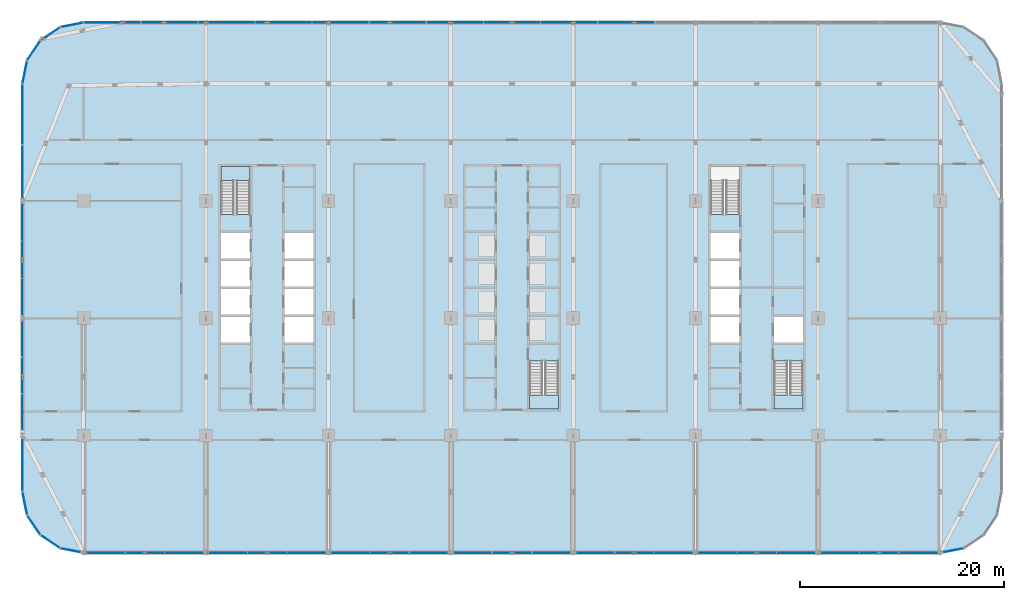
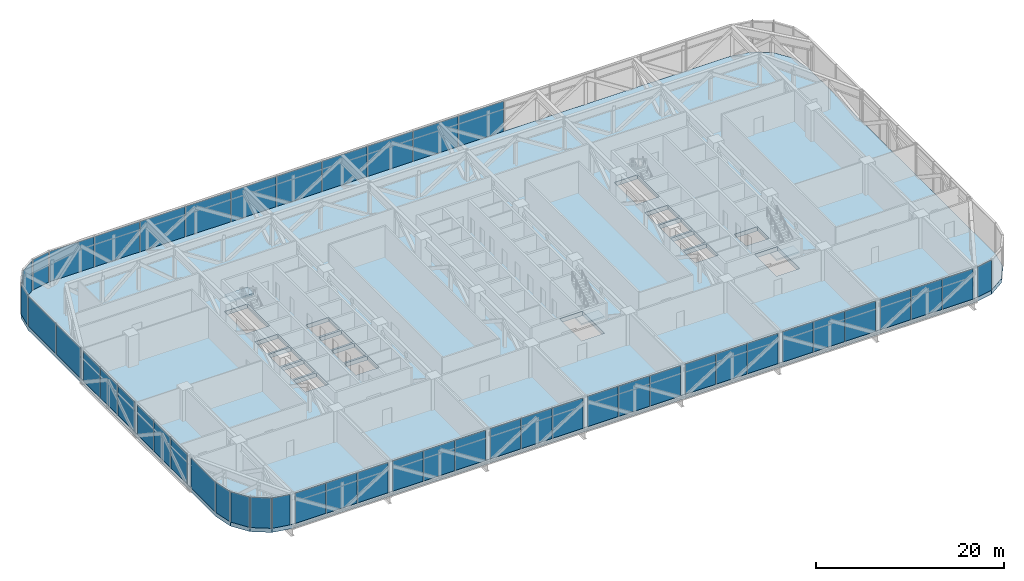
# One storey, part 14 of 30: 49 plates, 4 slabs, 25 elements without a shape of their own.
"""IFC4 building model written with IfcOpenShell, lengths in metres."""

from ifc_helpers import new_model, si_unit, direction, frame, origin, origin_2d, place, context, subcontext, project, spatial, polyline, rectangle, outline, extrude, material, layer, layer_set, type_object, element, aggregate, save


model = new_model("IFC4")

# Units and contexts
model_context = context("Model", 3, precision=1e-05, world=origin(), true_north=direction((0.0, 1.0)))
body_context = subcontext(model_context, "Body", "Model", "MODEL_VIEW")
ifc_project = project(units=[si_unit("LENGTHUNIT", "METRE"), si_unit("AREAUNIT", "SQUARE_METRE"), si_unit("VOLUMEUNIT", "CUBIC_METRE"), si_unit("PLANEANGLEUNIT", "RADIAN"), si_unit("MASSUNIT", "GRAM", prefix="KILO")], contexts=[model_context])

# Site, building, storey
site_placement = place(None, origin())
site = spatial("IfcSite", under=ifc_project, at=site_placement, CompositionType="ELEMENT")
building_placement = place(site_placement, origin())
building = spatial("IfcBuilding", under=site, at=building_placement, Name="Mahtab Terrace Research Tower", CompositionType="ELEMENT")
storey_placement = place(building_placement, frame((0.0, 0.0, 154.800048828125)))
storey = spatial("IfcBuildingStorey", under=building, at=storey_placement, Name="L36", CompositionType="ELEMENT", Elevation=154.800048828125)

# Stair, slab
ifc_material_1 = material(Name="Exit stair half-turn")
stair_type = type_object("IfcStairType", Name="Exit stair half-turn", PredefinedType="HALF_TURN_STAIR", material=ifc_material_1)
stair_1_placement = place(storey_placement, origin())
stair_1 = element("IfcStair", 1, at=stair_1_placement, inside=storey, type_object=stair_type, Name="L36 Protected exit stair ST1", PredefinedType="HALF_TURN_STAIR")
ifc_material_2 = material(Name="Concrete C40/50", Category="concrete")
ifc_layer_1 = layer(ifc_material_2, 0.199951171875)
ifc_layer_set_1 = layer_set([ifc_layer_1], Name="Exit stair landing 200")
slab_type_1 = type_object("IfcSlabType", Name="Exit stair landing 200", PredefinedType="LANDING", material=ifc_layer_set_1)
slab_1_placement = place(storey_placement, frame((0.0, 0.0, 2.0)))
slab_1 = element("IfcSlab", 2, at=slab_1_placement, type_object=slab_type_1, Name="ST1 landing 1", PredefinedType="LANDING", context=body_context, shape_type="SweptSolid", body=[
    extrude(outline(polyline([(-25.699951171875, 13.534912109375), (-25.699951171875, 14.875), (-28.550048828125, 14.875), (-28.550048828125, 13.534912109375), (-25.699951171875, 13.534912109375)])), origin(), (0.0, 0.0, 1.0), 0.199951171875),
])
aggregate(stair_1, [slab_1])

stair_2_placement = place(storey_placement, origin())
stair_2 = element("IfcStair", 3, at=stair_2_placement, inside=storey, type_object=stair_type, Name="L36 Protected exit stair ST2", PredefinedType="HALF_TURN_STAIR")
slab_2_placement = place(storey_placement, frame((0.0, 0.0, 2.0)))
slab_2 = element("IfcSlab", 4, at=slab_2_placement, type_object=slab_type_1, Name="ST2 landing 1", PredefinedType="LANDING", context=body_context, shape_type="SweptSolid", body=[
    extrude(outline(polyline([(1.699951171875, -7.534912109375), (1.699951171875, -8.875), (4.550048828125, -8.875), (4.550048828125, -7.534912109375), (1.699951171875, -7.534912109375)])), origin(), (0.0, 0.0, 1.0), 0.199951171875),
])
aggregate(stair_2, [slab_2])

stair_3_placement = place(storey_placement, origin())
stair_3 = element("IfcStair", 5, at=stair_3_placement, inside=storey, type_object=stair_type, Name="L36 Protected exit stair ST4", PredefinedType="HALF_TURN_STAIR")
slab_3_placement = place(storey_placement, frame((0.0, 0.0, 2.0)))
slab_3 = element("IfcSlab", 6, at=slab_3_placement, type_object=slab_type_1, Name="ST4 landing 1", PredefinedType="LANDING", context=body_context, shape_type="SweptSolid", body=[
    extrude(outline(polyline([(25.699951171875, -7.534912109375), (25.699951171875, -8.875), (28.550048828125, -8.875), (28.550048828125, -7.534912109375), (25.699951171875, -7.534912109375)])), origin(), (0.0, 0.0, 1.0), 0.199951171875),
])
aggregate(stair_3, [slab_3])

# Slab
ifc_layer_2 = layer(ifc_material_2, 0.550048828125)
ifc_layer_set_2 = layer_set([ifc_layer_2], Name="PT transfer slab 550")
slab_type_2 = type_object("IfcSlabType", Name="PT transfer slab 550", PredefinedType="FLOOR", material=ifc_layer_set_2)
slab_4_placement = place(storey_placement, frame((0.0, 0.0, -0.550048828125)))
element("IfcSlab", 7, at=slab_4_placement, inside=storey, type_object=slab_type_2, Name="Floor slab L36", PredefinedType="FLOOR", context=body_context, shape_type="SweptSolid", body=[
    extrude(outline(polyline([(48.0, 17.0), (48.0, 23.0), (47.54296875, 25.2958984375), (46.242919921875, 27.242919921875), (44.2958984375, 28.54296875), (42.0, 29.0), (-42.0, 29.0), (-44.2958984375, 28.54296875), (-46.242919921875, 27.242919921875), (-47.54296875, 25.2958984375), (-48.0, 23.0), (-48.0, 17.0), (-48.0, -11.0), (-48.0, -17.0), (-47.54296875, -19.2958984375), (-46.242919921875, -21.242919921875), (-44.2958984375, -22.54296875), (-42.0, -23.0), (42.0, -23.0), (44.2958984375, -22.54296875), (46.242919921875, -21.242919921875), (47.54296875, -19.2958984375), (48.0, -17.0), (48.0, -11.0), (48.0, 17.0)]), holes=[polyline([(-28.550048828125, -2.375), (-28.550048828125, 0.125), (-25.699951171875, 0.125), (-25.699951171875, -2.375), (-28.550048828125, -2.375)]), polyline([(-22.300048828125, -2.375), (-22.300048828125, 0.125), (-19.449951171875, 0.125), (-19.449951171875, -2.375), (-22.300048828125, -2.375)]), polyline([(-28.550048828125, 0.375), (-28.550048828125, 2.875), (-25.699951171875, 2.875), (-25.699951171875, 0.375), (-28.550048828125, 0.375)]), polyline([(-22.300048828125, 0.375), (-22.300048828125, 2.875), (-19.449951171875, 2.875), (-19.449951171875, 0.375), (-22.300048828125, 0.375)]), polyline([(-28.550048828125, 3.125), (-28.550048828125, 5.625), (-25.699951171875, 5.625), (-25.699951171875, 3.125), (-28.550048828125, 3.125)]), polyline([(-22.300048828125, 3.125), (-22.300048828125, 5.625), (-19.449951171875, 5.625), (-19.449951171875, 3.125), (-22.300048828125, 3.125)]), polyline([(-28.550048828125, 5.875), (-28.550048828125, 8.375), (-25.699951171875, 8.375), (-25.699951171875, 5.875), (-28.550048828125, 5.875)]), polyline([(-22.300048828125, 5.875), (-22.300048828125, 8.375), (-19.449951171875, 8.375), (-19.449951171875, 5.875), (-22.300048828125, 5.875)]), polyline([(-28.550048828125, 10.177001953125), (-28.550048828125, 14.875), (-25.699951171875, 14.875), (-25.699951171875, 10.177001953125), (-28.550048828125, 10.177001953125)]), polyline([(1.699951171875, -8.875), (1.699951171875, -4.177001953125), (4.550048828125, -4.177001953125), (4.550048828125, -8.875), (1.699951171875, -8.875)]), polyline([(25.699951171875, -8.875), (25.699951171875, -4.177001953125), (28.550048828125, -4.177001953125), (28.550048828125, -8.875), (25.699951171875, -8.875)]), polyline([(19.449951171875, -2.375), (19.449951171875, 0.125), (22.300048828125, 0.125), (22.300048828125, -2.375), (19.449951171875, -2.375)]), polyline([(25.699951171875, -2.375), (25.699951171875, 0.125), (28.550048828125, 0.125), (28.550048828125, -2.375), (25.699951171875, -2.375)]), polyline([(19.449951171875, 0.375), (19.449951171875, 2.875), (22.300048828125, 2.875), (22.300048828125, 0.375), (19.449951171875, 0.375)]), polyline([(19.449951171875, 3.125), (19.449951171875, 5.625), (22.300048828125, 5.625), (22.300048828125, 3.125), (19.449951171875, 3.125)]), polyline([(19.449951171875, 8.375), (22.300048828125, 8.375), (22.300048828125, 5.875), (19.449951171875, 5.875), (19.449951171875, 8.375)]), polyline([(19.449951171875, 14.875), (22.300048828125, 14.875), (22.300048828125, 10.177001953125), (19.449951171875, 10.177001953125), (19.449951171875, 14.875)])]), origin(), (0.0, 0.0, 1.0), 0.550048828125),
])

# Curtain wall, plate
ifc_material_3 = material(Name="Sky lounge full-height curtain wall")
curtain_wall_type = type_object("IfcCurtainWallType", Name="Sky lounge full-height curtain wall", PredefinedType="NOTDEFINED", material=ifc_material_3)
curtain_wall_1_placement = place(storey_placement, origin())
curtain_wall_1 = element("IfcCurtainWall", 8, at=curtain_wall_1_placement, inside=storey, type_object=curtain_wall_type, Name="EN.L36.8.0", PredefinedType="NOTDEFINED")
ifc_material_4 = material(Name="Dark glazing", Category="glass")
ifc_layer_3 = layer(ifc_material_4, 0.0400390625)
ifc_layer_set_3 = layer_set([ifc_layer_3], Name="Sky lounge full-height curtain wall glazing panel")
plate_type_1 = type_object("IfcPlateType", Name="Sky lounge full-height curtain wall glazing panel", PredefinedType="CURTAIN_PANEL", material=ifc_layer_set_3)
plate_1_placement = place(storey_placement, frame((-46.89306640625, 26.26953125, 0.0), z_axis=(0.0, 0.0, 1.0), x_axis=(-0.555291490808, -0.831655794326, 0.0)))
plate_1 = element("IfcPlate", 9, at=plate_1_placement, type_object=plate_type_1, Name="CWS-T4 panel 1", PredefinedType="CURTAIN_PANEL", context=body_context, shape_type="SweptSolid", body=[
    extrude(rectangle(XDim=2.201171875, YDim=0.0400390625, at=origin_2d()), origin(), (0.0, 0.0, 1.0), 3.93994140625),
])
aggregate(curtain_wall_1, [plate_1])

curtain_wall_2_placement = place(storey_placement, origin())
curtain_wall_2 = element("IfcCurtainWall", 10, at=curtain_wall_2_placement, inside=storey, type_object=curtain_wall_type, Name="EN.L36.9.0", PredefinedType="NOTDEFINED")
plate_2_placement = place(storey_placement, frame((-47.771484375, 24.14794921875, 0.0), z_axis=(0.0, 0.0, 1.0), x_axis=(-0.195212442692, -0.980760981187, 0.0)))
plate_2 = element("IfcPlate", 11, at=plate_2_placement, type_object=plate_type_1, Name="CWS-T4 panel 1", PredefinedType="CURTAIN_PANEL", context=body_context, shape_type="SweptSolid", body=[
    extrude(rectangle(XDim=2.200927734375, YDim=0.0400390625, at=origin_2d()), origin(), (0.0, 0.0, 1.0), 3.93994140625),
])
aggregate(curtain_wall_2, [plate_2])

curtain_wall_3_placement = place(storey_placement, origin())
curtain_wall_3 = element("IfcCurtainWall", 12, at=curtain_wall_3_placement, inside=storey, type_object=curtain_wall_type, Name="EN.L36.13.0", PredefinedType="NOTDEFINED")
plate_3_placement = place(storey_placement, frame((-47.771484375, -18.14794921875, 0.0), z_axis=(0.0, 0.0, 1.0), x_axis=(0.195212442692, -0.980760981187, 0.0)))
plate_3 = element("IfcPlate", 13, at=plate_3_placement, type_object=plate_type_1, Name="CWS-T4 panel 1", PredefinedType="CURTAIN_PANEL", context=body_context, shape_type="SweptSolid", body=[
    extrude(rectangle(XDim=2.200927734375, YDim=0.0400390625, at=origin_2d()), origin(), (0.0, 0.0, 1.0), 3.93994140625),
])
aggregate(curtain_wall_3, [plate_3])

curtain_wall_4_placement = place(storey_placement, origin())
curtain_wall_4 = element("IfcCurtainWall", 14, at=curtain_wall_4_placement, inside=storey, type_object=curtain_wall_type, Name="EN.L36.14.0", PredefinedType="NOTDEFINED")
plate_4_placement = place(storey_placement, frame((-46.89306640625, -20.26953125, 0.0), z_axis=(0.0, 0.0, 1.0), x_axis=(0.555291490808, -0.831655794326, 0.0)))
plate_4 = element("IfcPlate", 15, at=plate_4_placement, type_object=plate_type_1, Name="CWS-T4 panel 1", PredefinedType="CURTAIN_PANEL", context=body_context, shape_type="SweptSolid", body=[
    extrude(rectangle(XDim=2.201171875, YDim=0.0400390625, at=origin_2d()), origin(), (0.0, 0.0, 1.0), 3.93994140625),
])
aggregate(curtain_wall_4, [plate_4])

# Curtain wall, plates
curtain_wall_5_placement = place(storey_placement, origin())
curtain_wall_5 = element("IfcCurtainWall", 16, at=curtain_wall_5_placement, inside=storey, type_object=curtain_wall_type, Name="EN.L36.5.0", PredefinedType="NOTDEFINED")
ifc_material_5 = material(Name="Insulated aluminium spandrel panel", Category="aluminium")
ifc_layer_4 = layer(ifc_material_5, 0.0400390625)
ifc_layer_set_4 = layer_set([ifc_layer_4], Name="Sky lounge full-height curtain wall spandrel infill panel")
plate_type_2 = type_object("IfcPlateType", Name="Sky lounge full-height curtain wall spandrel infill panel", PredefinedType="CURTAIN_PANEL", material=ifc_layer_set_4)
plate_5_placement = place(storey_placement, frame((11.199951171875, 29.0, 0.0), z_axis=(0.0, 0.0, 1.0), x_axis=(-1.0, 0.0, 0.0)))
plate_5 = element("IfcPlate", 17, at=plate_5_placement, type_object=plate_type_2, Name="CWS-T4 infill panel 6", PredefinedType="CURTAIN_PANEL", context=body_context, shape_type="SweptSolid", body=[
    extrude(rectangle(XDim=5.530029296875, YDim=0.0400390625, at=origin_2d()), origin(), (0.0, 0.0, 1.0), 3.93994140625),
])
plate_6_placement = place(storey_placement, frame((5.60009765625, 29.0, 0.0), z_axis=(0.0, 0.0, 1.0), x_axis=(-1.0, 0.0, 0.0)))
plate_6 = element("IfcPlate", 18, at=plate_6_placement, type_object=plate_type_2, Name="CWS-T4 infill panel 7", PredefinedType="CURTAIN_PANEL", context=body_context, shape_type="SweptSolid", body=[
    extrude(rectangle(XDim=5.530029296875, YDim=0.0400390625, at=origin_2d()), origin(), (0.0, 0.0, 1.0), 3.93994140625),
])
plate_7_placement = place(storey_placement, frame((0.0, 29.0, 0.0), z_axis=(0.0, 0.0, 1.0), x_axis=(-1.0, 0.0, 0.0)))
plate_7 = element("IfcPlate", 19, at=plate_7_placement, type_object=plate_type_2, Name="CWS-T4 infill panel 8", PredefinedType="CURTAIN_PANEL", context=body_context, shape_type="SweptSolid", body=[
    extrude(rectangle(XDim=5.530029296875, YDim=0.0400390625, at=origin_2d()), origin(), (0.0, 0.0, 1.0), 3.93994140625),
])
plate_8_placement = place(storey_placement, frame((-5.60009765625, 29.0, 0.0), z_axis=(0.0, 0.0, 1.0), x_axis=(-1.0, 0.0, 0.0)))
plate_8 = element("IfcPlate", 20, at=plate_8_placement, type_object=plate_type_2, Name="CWS-T4 infill panel 9", PredefinedType="CURTAIN_PANEL", context=body_context, shape_type="SweptSolid", body=[
    extrude(rectangle(XDim=5.530029296875, YDim=0.0400390625, at=origin_2d()), origin(), (0.0, 0.0, 1.0), 3.93994140625),
])
plate_9_placement = place(storey_placement, frame((-11.199951171875, 29.0, 0.0), z_axis=(0.0, 0.0, 1.0), x_axis=(-1.0, 0.0, 0.0)))
plate_9 = element("IfcPlate", 21, at=plate_9_placement, type_object=plate_type_2, Name="CWS-T4 infill panel 10", PredefinedType="CURTAIN_PANEL", context=body_context, shape_type="SweptSolid", body=[
    extrude(rectangle(XDim=5.530029296875, YDim=0.0400390625, at=origin_2d()), origin(), (0.0, 0.0, 1.0), 3.93994140625),
])
plate_10_placement = place(storey_placement, frame((-16.800048828125, 29.0, 0.0), z_axis=(0.0, 0.0, 1.0), x_axis=(-1.0, 0.0, 0.0)))
plate_10 = element("IfcPlate", 22, at=plate_10_placement, type_object=plate_type_2, Name="CWS-T4 infill panel 11", PredefinedType="CURTAIN_PANEL", context=body_context, shape_type="SweptSolid", body=[
    extrude(rectangle(XDim=5.530029296875, YDim=0.0400390625, at=origin_2d()), origin(), (0.0, 0.0, 1.0), 3.93994140625),
])
plate_11_placement = place(storey_placement, frame((-22.39990234375, 29.0, 0.0), z_axis=(0.0, 0.0, 1.0), x_axis=(-1.0, 0.0, 0.0)))
plate_11 = element("IfcPlate", 23, at=plate_11_placement, type_object=plate_type_2, Name="CWS-T4 infill panel 12", PredefinedType="CURTAIN_PANEL", context=body_context, shape_type="SweptSolid", body=[
    extrude(rectangle(XDim=5.530029296875, YDim=0.0400390625, at=origin_2d()), origin(), (0.0, 0.0, 1.0), 3.93994140625),
])
plate_12_placement = place(storey_placement, frame((-28.0, 29.0, 0.0), z_axis=(0.0, 0.0, 1.0), x_axis=(-1.0, 0.0, 0.0)))
plate_12 = element("IfcPlate", 24, at=plate_12_placement, type_object=plate_type_2, Name="CWS-T4 infill panel 13", PredefinedType="CURTAIN_PANEL", context=body_context, shape_type="SweptSolid", body=[
    extrude(rectangle(XDim=5.530029296875, YDim=0.0400390625, at=origin_2d()), origin(), (0.0, 0.0, 1.0), 3.93994140625),
])
plate_13_placement = place(storey_placement, frame((-33.60009765625, 29.0, 0.0), z_axis=(0.0, 0.0, 1.0), x_axis=(-1.0, 0.0, 0.0)))
plate_13 = element("IfcPlate", 25, at=plate_13_placement, type_object=plate_type_2, Name="CWS-T4 infill panel 14", PredefinedType="CURTAIN_PANEL", context=body_context, shape_type="SweptSolid", body=[
    extrude(rectangle(XDim=5.530029296875, YDim=0.0400390625, at=origin_2d()), origin(), (0.0, 0.0, 1.0), 3.93994140625),
])
plate_14_placement = place(storey_placement, frame((-39.1826171875, 29.0, 0.0), z_axis=(0.0, 0.0, 1.0), x_axis=(-1.0, 0.0, 0.0)))
plate_14 = element("IfcPlate", 26, at=plate_14_placement, type_object=plate_type_2, Name="CWS-T4 infill panel 15", PredefinedType="CURTAIN_PANEL", context=body_context, shape_type="SweptSolid", body=[
    extrude(rectangle(XDim=5.4951171875, YDim=0.0400390625, at=origin_2d()), origin(), (0.0, 0.0, 1.0), 3.93994140625),
])
aggregate(curtain_wall_5, [plate_5, plate_6, plate_7, plate_8, plate_9, plate_10, plate_11, plate_12, plate_13, plate_14])

# Curtain wall, plate
curtain_wall_6_placement = place(storey_placement, origin())
curtain_wall_6 = element("IfcCurtainWall", 27, at=curtain_wall_6_placement, inside=storey, type_object=curtain_wall_type, Name="EN.L36.6.0", PredefinedType="NOTDEFINED")
plate_15_placement = place(storey_placement, frame((-43.14794921875, 28.771484375, 0.0), z_axis=(0.0, 0.0, 1.0), x_axis=(-0.980760981187, -0.195212442692, 0.0)))
plate_15 = element("IfcPlate", 28, at=plate_15_placement, type_object=plate_type_2, Name="CWS-T4 infill panel 1", PredefinedType="CURTAIN_PANEL", context=body_context, shape_type="SweptSolid", body=[
    extrude(rectangle(XDim=2.200927734375, YDim=0.0400390625, at=origin_2d()), origin(), (0.0, 0.0, 1.0), 3.93994140625),
])
aggregate(curtain_wall_6, [plate_15])

curtain_wall_7_placement = place(storey_placement, origin())
curtain_wall_7 = element("IfcCurtainWall", 29, at=curtain_wall_7_placement, inside=storey, type_object=curtain_wall_type, Name="EN.L36.7.0", PredefinedType="NOTDEFINED")
plate_16_placement = place(storey_placement, frame((-45.26953125, 27.89306640625, 0.0), z_axis=(0.0, 0.0, 1.0), x_axis=(-0.831655794326, -0.555291490808, 0.0)))
plate_16 = element("IfcPlate", 30, at=plate_16_placement, type_object=plate_type_2, Name="CWS-T4 infill panel 1", PredefinedType="CURTAIN_PANEL", context=body_context, shape_type="SweptSolid", body=[
    extrude(rectangle(XDim=2.201171875, YDim=0.0400390625, at=origin_2d()), origin(), (0.0, 0.0, 1.0), 3.93994140625),
])
aggregate(curtain_wall_7, [plate_16])

curtain_wall_8_placement = place(storey_placement, origin())
curtain_wall_8 = element("IfcCurtainWall", 31, at=curtain_wall_8_placement, inside=storey, type_object=curtain_wall_type, Name="EN.L36.10.0", PredefinedType="NOTDEFINED")
plate_17_placement = place(storey_placement, frame((-48.0, 20.0, 0.0), z_axis=(0.0, 0.0, 1.0), x_axis=(0.0, -1.0, 0.0)))
plate_17 = element("IfcPlate", 32, at=plate_17_placement, type_object=plate_type_2, Name="CWS-T4 infill panel 1", PredefinedType="CURTAIN_PANEL", context=body_context, shape_type="SweptSolid", body=[
    extrude(rectangle(XDim=5.860107421875, YDim=0.0400390625, at=origin_2d()), origin(), (0.0, 0.0, 1.0), 3.93994140625),
])
aggregate(curtain_wall_8, [plate_17])

curtain_wall_9_placement = place(storey_placement, origin())
curtain_wall_9 = element("IfcCurtainWall", 33, at=curtain_wall_9_placement, inside=storey, type_object=curtain_wall_type, Name="EN.L36.11.0", PredefinedType="NOTDEFINED")
plate_18_placement = place(storey_placement, frame((-48.0, 14.35888671875, 0.0), z_axis=(0.0, 0.0, 1.0), x_axis=(0.0, -1.0, 0.0)))
plate_18 = element("IfcPlate", 34, at=plate_18_placement, type_object=plate_type_2, Name="CWS-T4 infill panel 1", PredefinedType="CURTAIN_PANEL", context=body_context, shape_type="SweptSolid", body=[
    extrude(rectangle(XDim=5.14208984375, YDim=0.0400390625, at=origin_2d()), origin(), (0.0, 0.0, 1.0), 3.93994140625),
])
aggregate(curtain_wall_9, [plate_18])

# Curtain wall, plates
curtain_wall_10_placement = place(storey_placement, origin())
curtain_wall_10 = element("IfcCurtainWall", 35, at=curtain_wall_10_placement, inside=storey, type_object=curtain_wall_type, Name="EN.L36.11.1", PredefinedType="NOTDEFINED")
plate_19_placement = place(storey_placement, frame((-48.0, 9.42041015625, 0.0), z_axis=(0.0, 0.0, 1.0), x_axis=(0.0, -1.0, 0.0)))
plate_19 = element("IfcPlate", 36, at=plate_19_placement, type_object=plate_type_2, Name="CWS-T4 infill panel 1", PredefinedType="CURTAIN_PANEL", context=body_context, shape_type="SweptSolid", body=[
    extrude(rectangle(XDim=3.5830078125, YDim=0.0400390625, at=origin_2d()), origin(), (0.0, 0.0, 1.0), 3.93994140625),
])
plate_20_placement = place(storey_placement, frame((-48.0, 5.75, 0.0), z_axis=(0.0, 0.0, 1.0), x_axis=(0.0, -1.0, 0.0)))
plate_20 = element("IfcPlate", 37, at=plate_20_placement, type_object=plate_type_2, Name="CWS-T4 infill panel 2", PredefinedType="CURTAIN_PANEL", context=body_context, shape_type="SweptSolid", body=[
    extrude(rectangle(XDim=3.617919921875, YDim=0.0400390625, at=origin_2d()), origin(), (0.0, 0.0, 1.0), 3.93994140625),
])
plate_21_placement = place(storey_placement, frame((-48.0, 2.07958984375, 0.0), z_axis=(0.0, 0.0, 1.0), x_axis=(0.0, -1.0, 0.0)))
plate_21 = element("IfcPlate", 38, at=plate_21_placement, type_object=plate_type_2, Name="CWS-T4 infill panel 3", PredefinedType="CURTAIN_PANEL", context=body_context, shape_type="SweptSolid", body=[
    extrude(rectangle(XDim=3.5830078125, YDim=0.0400390625, at=origin_2d()), origin(), (0.0, 0.0, 1.0), 3.93994140625),
])
aggregate(curtain_wall_10, [plate_19, plate_20, plate_21])

curtain_wall_11_placement = place(storey_placement, origin())
curtain_wall_11 = element("IfcCurtainWall", 39, at=curtain_wall_11_placement, inside=storey, type_object=curtain_wall_type, Name="EN.L36.11.2", PredefinedType="NOTDEFINED")
plate_22_placement = place(storey_placement, frame((-48.0, -2.032470703125, 0.0), z_axis=(0.0, 0.0, 1.0), x_axis=(0.0, -1.0, 0.0)))
plate_22 = element("IfcPlate", 40, at=plate_22_placement, type_object=plate_type_2, Name="CWS-T4 infill panel 1", PredefinedType="CURTAIN_PANEL", context=body_context, shape_type="SweptSolid", body=[
    extrude(rectangle(XDim=3.489013671875, YDim=0.0400390625, at=origin_2d()), origin(), (0.0, 0.0, 1.0), 3.93994140625),
])
plate_23_placement = place(storey_placement, frame((-48.0, -5.60888671875, 0.0), z_axis=(0.0, 0.0, 1.0), x_axis=(0.0, -1.0, 0.0)))
plate_23 = element("IfcPlate", 41, at=plate_23_placement, type_object=plate_type_2, Name="CWS-T4 infill panel 2", PredefinedType="CURTAIN_PANEL", context=body_context, shape_type="SweptSolid", body=[
    extrude(rectangle(XDim=3.52392578125, YDim=0.0400390625, at=origin_2d()), origin(), (0.0, 0.0, 1.0), 3.93994140625),
])
plate_24_placement = place(storey_placement, frame((-48.0, -9.185546875, 0.0), z_axis=(0.0, 0.0, 1.0), x_axis=(0.0, -1.0, 0.0)))
plate_24 = element("IfcPlate", 42, at=plate_24_placement, type_object=plate_type_2, Name="CWS-T4 infill panel 3", PredefinedType="CURTAIN_PANEL", context=body_context, shape_type="SweptSolid", body=[
    extrude(rectangle(XDim=3.489013671875, YDim=0.0400390625, at=origin_2d()), origin(), (0.0, 0.0, 1.0), 3.93994140625),
])
aggregate(curtain_wall_11, [plate_22, plate_23, plate_24])

# Curtain wall, plate
curtain_wall_12_placement = place(storey_placement, origin())
curtain_wall_12 = element("IfcCurtainWall", 43, at=curtain_wall_12_placement, inside=storey, type_object=curtain_wall_type, Name="EN.L36.12.0", PredefinedType="NOTDEFINED")
plate_25_placement = place(storey_placement, frame((-48.0, -14.35888671875, 0.0), z_axis=(0.0, 0.0, 1.0), x_axis=(0.0, -1.0, 0.0)))
plate_25 = element("IfcPlate", 44, at=plate_25_placement, type_object=plate_type_2, Name="CWS-T4 infill panel 1", PredefinedType="CURTAIN_PANEL", context=body_context, shape_type="SweptSolid", body=[
    extrude(rectangle(XDim=5.14208984375, YDim=0.0400390625, at=origin_2d()), origin(), (0.0, 0.0, 1.0), 3.93994140625),
])
aggregate(curtain_wall_12, [plate_25])

curtain_wall_13_placement = place(storey_placement, origin())
curtain_wall_13 = element("IfcCurtainWall", 45, at=curtain_wall_13_placement, inside=storey, type_object=curtain_wall_type, Name="EN.L36.15.0", PredefinedType="NOTDEFINED")
plate_26_placement = place(storey_placement, frame((-45.26953125, -21.89306640625, 0.0), z_axis=(0.0, 0.0, 1.0), x_axis=(0.831655794326, -0.555291490808, 0.0)))
plate_26 = element("IfcPlate", 46, at=plate_26_placement, type_object=plate_type_2, Name="CWS-T4 infill panel 1", PredefinedType="CURTAIN_PANEL", context=body_context, shape_type="SweptSolid", body=[
    extrude(rectangle(XDim=2.201171875, YDim=0.0400390625, at=origin_2d()), origin(), (0.0, 0.0, 1.0), 3.93994140625),
])
aggregate(curtain_wall_13, [plate_26])

curtain_wall_14_placement = place(storey_placement, origin())
curtain_wall_14 = element("IfcCurtainWall", 47, at=curtain_wall_14_placement, inside=storey, type_object=curtain_wall_type, Name="EN.L36.16.0", PredefinedType="NOTDEFINED")
plate_27_placement = place(storey_placement, frame((-43.26806640625, -22.74755859375, 0.0), z_axis=(0.0, 0.0, 1.0), x_axis=(0.980760981187, -0.195212442692, 0.0)))
plate_27 = element("IfcPlate", 48, at=plate_27_placement, type_object=plate_type_2, Name="CWS-T4 infill panel 1", PredefinedType="CURTAIN_PANEL", context=body_context, shape_type="SweptSolid", body=[
    extrude(rectangle(XDim=1.95654296875, YDim=0.0400390625, at=origin_2d()), origin(), (0.0, 0.0, 1.0), 3.93994140625),
])
aggregate(curtain_wall_14, [plate_27])

# Curtain wall, plates
curtain_wall_15_placement = place(storey_placement, origin())
curtain_wall_15 = element("IfcCurtainWall", 49, at=curtain_wall_15_placement, inside=storey, type_object=curtain_wall_type, Name="EN.L36.17.0", PredefinedType="NOTDEFINED")
plate_28_placement = place(storey_placement, frame((-39.84375, -23.0, 0.0), z_axis=(0.0, 0.0, 1.0), x_axis=(1.0, 0.0, 0.0)))
plate_28 = element("IfcPlate", 50, at=plate_28_placement, type_object=plate_type_2, Name="CWS-T4 infill panel 1", PredefinedType="CURTAIN_PANEL", context=body_context, shape_type="SweptSolid", body=[
    extrude(rectangle(XDim=3.75634765625, YDim=0.0400390625, at=origin_2d()), origin(), (0.0, 0.0, 1.0), 3.93994140625),
])
plate_29_placement = place(storey_placement, frame((-36.0, -23.0, 0.0), z_axis=(0.0, 0.0, 1.0), x_axis=(1.0, 0.0, 0.0)))
plate_29 = element("IfcPlate", 51, at=plate_29_placement, type_object=plate_type_2, Name="CWS-T4 infill panel 2", PredefinedType="CURTAIN_PANEL", context=body_context, shape_type="SweptSolid", body=[
    extrude(rectangle(XDim=3.791259765625, YDim=0.0400390625, at=origin_2d()), origin(), (0.0, 0.0, 1.0), 3.93994140625),
])
plate_30_placement = place(storey_placement, frame((-32.15625, -23.0, 0.0), z_axis=(0.0, 0.0, 1.0), x_axis=(1.0, 0.0, 0.0)))
plate_30 = element("IfcPlate", 52, at=plate_30_placement, type_object=plate_type_2, Name="CWS-T4 infill panel 3", PredefinedType="CURTAIN_PANEL", context=body_context, shape_type="SweptSolid", body=[
    extrude(rectangle(XDim=3.75634765625, YDim=0.0400390625, at=origin_2d()), origin(), (0.0, 0.0, 1.0), 3.93994140625),
])
aggregate(curtain_wall_15, [plate_28, plate_29, plate_30])

curtain_wall_16_placement = place(storey_placement, origin())
curtain_wall_16 = element("IfcCurtainWall", 53, at=curtain_wall_16_placement, inside=storey, type_object=curtain_wall_type, Name="EN.L36.17.1", PredefinedType="NOTDEFINED")
plate_31_placement = place(storey_placement, frame((-27.84375, -23.0, 0.0), z_axis=(0.0, 0.0, 1.0), x_axis=(1.0, 0.0, 0.0)))
plate_31 = element("IfcPlate", 54, at=plate_31_placement, type_object=plate_type_2, Name="CWS-T4 infill panel 1", PredefinedType="CURTAIN_PANEL", context=body_context, shape_type="SweptSolid", body=[
    extrude(rectangle(XDim=3.75634765625, YDim=0.0400390625, at=origin_2d()), origin(), (0.0, 0.0, 1.0), 3.93994140625),
])
plate_32_placement = place(storey_placement, frame((-24.0, -23.0, 0.0), z_axis=(0.0, 0.0, 1.0), x_axis=(1.0, 0.0, 0.0)))
plate_32 = element("IfcPlate", 55, at=plate_32_placement, type_object=plate_type_2, Name="CWS-T4 infill panel 2", PredefinedType="CURTAIN_PANEL", context=body_context, shape_type="SweptSolid", body=[
    extrude(rectangle(XDim=3.791259765625, YDim=0.0400390625, at=origin_2d()), origin(), (0.0, 0.0, 1.0), 3.93994140625),
])
plate_33_placement = place(storey_placement, frame((-20.15625, -23.0, 0.0), z_axis=(0.0, 0.0, 1.0), x_axis=(1.0, 0.0, 0.0)))
plate_33 = element("IfcPlate", 56, at=plate_33_placement, type_object=plate_type_2, Name="CWS-T4 infill panel 3", PredefinedType="CURTAIN_PANEL", context=body_context, shape_type="SweptSolid", body=[
    extrude(rectangle(XDim=3.75634765625, YDim=0.0400390625, at=origin_2d()), origin(), (0.0, 0.0, 1.0), 3.93994140625),
])
aggregate(curtain_wall_16, [plate_31, plate_32, plate_33])

curtain_wall_17_placement = place(storey_placement, origin())
curtain_wall_17 = element("IfcCurtainWall", 57, at=curtain_wall_17_placement, inside=storey, type_object=curtain_wall_type, Name="EN.L36.17.2", PredefinedType="NOTDEFINED")
plate_34_placement = place(storey_placement, frame((-15.84375, -23.0, 0.0), z_axis=(0.0, 0.0, 1.0), x_axis=(1.0, 0.0, 0.0)))
plate_34 = element("IfcPlate", 58, at=plate_34_placement, type_object=plate_type_2, Name="CWS-T4 infill panel 1", PredefinedType="CURTAIN_PANEL", context=body_context, shape_type="SweptSolid", body=[
    extrude(rectangle(XDim=3.75634765625, YDim=0.0400390625, at=origin_2d()), origin(), (0.0, 0.0, 1.0), 3.93994140625),
])
plate_35_placement = place(storey_placement, frame((-12.0, -23.0, 0.0), z_axis=(0.0, 0.0, 1.0), x_axis=(1.0, 0.0, 0.0)))
plate_35 = element("IfcPlate", 59, at=plate_35_placement, type_object=plate_type_2, Name="CWS-T4 infill panel 2", PredefinedType="CURTAIN_PANEL", context=body_context, shape_type="SweptSolid", body=[
    extrude(rectangle(XDim=3.791259765625, YDim=0.0400390625, at=origin_2d()), origin(), (0.0, 0.0, 1.0), 3.93994140625),
])
plate_36_placement = place(storey_placement, frame((-8.15625, -23.0, 0.0), z_axis=(0.0, 0.0, 1.0), x_axis=(1.0, 0.0, 0.0)))
plate_36 = element("IfcPlate", 60, at=plate_36_placement, type_object=plate_type_2, Name="CWS-T4 infill panel 3", PredefinedType="CURTAIN_PANEL", context=body_context, shape_type="SweptSolid", body=[
    extrude(rectangle(XDim=3.75634765625, YDim=0.0400390625, at=origin_2d()), origin(), (0.0, 0.0, 1.0), 3.93994140625),
])
aggregate(curtain_wall_17, [plate_34, plate_35, plate_36])

curtain_wall_18_placement = place(storey_placement, origin())
curtain_wall_18 = element("IfcCurtainWall", 61, at=curtain_wall_18_placement, inside=storey, type_object=curtain_wall_type, Name="EN.L36.17.3", PredefinedType="NOTDEFINED")
plate_37_placement = place(storey_placement, frame((-3.84375, -23.0, 0.0), z_axis=(0.0, 0.0, 1.0), x_axis=(1.0, 0.0, 0.0)))
plate_37 = element("IfcPlate", 62, at=plate_37_placement, type_object=plate_type_2, Name="CWS-T4 infill panel 1", PredefinedType="CURTAIN_PANEL", context=body_context, shape_type="SweptSolid", body=[
    extrude(rectangle(XDim=3.75634765625, YDim=0.0400390625, at=origin_2d()), origin(), (0.0, 0.0, 1.0), 3.93994140625),
])
plate_38_placement = place(storey_placement, frame((0.0, -23.0, 0.0), z_axis=(0.0, 0.0, 1.0), x_axis=(1.0, 0.0, 0.0)))
plate_38 = element("IfcPlate", 63, at=plate_38_placement, type_object=plate_type_2, Name="CWS-T4 infill panel 2", PredefinedType="CURTAIN_PANEL", context=body_context, shape_type="SweptSolid", body=[
    extrude(rectangle(XDim=3.791259765625, YDim=0.0400390625, at=origin_2d()), origin(), (0.0, 0.0, 1.0), 3.93994140625),
])
plate_39_placement = place(storey_placement, frame((3.84375, -23.0, 0.0), z_axis=(0.0, 0.0, 1.0), x_axis=(1.0, 0.0, 0.0)))
plate_39 = element("IfcPlate", 64, at=plate_39_placement, type_object=plate_type_2, Name="CWS-T4 infill panel 3", PredefinedType="CURTAIN_PANEL", context=body_context, shape_type="SweptSolid", body=[
    extrude(rectangle(XDim=3.75634765625, YDim=0.0400390625, at=origin_2d()), origin(), (0.0, 0.0, 1.0), 3.93994140625),
])
aggregate(curtain_wall_18, [plate_37, plate_38, plate_39])

curtain_wall_19_placement = place(storey_placement, origin())
curtain_wall_19 = element("IfcCurtainWall", 65, at=curtain_wall_19_placement, inside=storey, type_object=curtain_wall_type, Name="EN.L36.17.4", PredefinedType="NOTDEFINED")
plate_40_placement = place(storey_placement, frame((8.15625, -23.0, 0.0), z_axis=(0.0, 0.0, 1.0), x_axis=(1.0, 0.0, 0.0)))
plate_40 = element("IfcPlate", 66, at=plate_40_placement, type_object=plate_type_2, Name="CWS-T4 infill panel 1", PredefinedType="CURTAIN_PANEL", context=body_context, shape_type="SweptSolid", body=[
    extrude(rectangle(XDim=3.75634765625, YDim=0.0400390625, at=origin_2d()), origin(), (0.0, 0.0, 1.0), 3.93994140625),
])
plate_41_placement = place(storey_placement, frame((12.0, -23.0, 0.0), z_axis=(0.0, 0.0, 1.0), x_axis=(1.0, 0.0, 0.0)))
plate_41 = element("IfcPlate", 67, at=plate_41_placement, type_object=plate_type_2, Name="CWS-T4 infill panel 2", PredefinedType="CURTAIN_PANEL", context=body_context, shape_type="SweptSolid", body=[
    extrude(rectangle(XDim=3.791259765625, YDim=0.0400390625, at=origin_2d()), origin(), (0.0, 0.0, 1.0), 3.93994140625),
])
plate_42_placement = place(storey_placement, frame((15.84375, -23.0, 0.0), z_axis=(0.0, 0.0, 1.0), x_axis=(1.0, 0.0, 0.0)))
plate_42 = element("IfcPlate", 68, at=plate_42_placement, type_object=plate_type_2, Name="CWS-T4 infill panel 3", PredefinedType="CURTAIN_PANEL", context=body_context, shape_type="SweptSolid", body=[
    extrude(rectangle(XDim=3.75634765625, YDim=0.0400390625, at=origin_2d()), origin(), (0.0, 0.0, 1.0), 3.93994140625),
])
aggregate(curtain_wall_19, [plate_40, plate_41, plate_42])

curtain_wall_20_placement = place(storey_placement, origin())
curtain_wall_20 = element("IfcCurtainWall", 69, at=curtain_wall_20_placement, inside=storey, type_object=curtain_wall_type, Name="EN.L36.17.5", PredefinedType="NOTDEFINED")
plate_43_placement = place(storey_placement, frame((20.15625, -23.0, 0.0), z_axis=(0.0, 0.0, 1.0), x_axis=(1.0, 0.0, 0.0)))
plate_43 = element("IfcPlate", 70, at=plate_43_placement, type_object=plate_type_2, Name="CWS-T4 infill panel 1", PredefinedType="CURTAIN_PANEL", context=body_context, shape_type="SweptSolid", body=[
    extrude(rectangle(XDim=3.75634765625, YDim=0.0400390625, at=origin_2d()), origin(), (0.0, 0.0, 1.0), 3.93994140625),
])
plate_44_placement = place(storey_placement, frame((24.0, -23.0, 0.0), z_axis=(0.0, 0.0, 1.0), x_axis=(1.0, 0.0, 0.0)))
plate_44 = element("IfcPlate", 71, at=plate_44_placement, type_object=plate_type_2, Name="CWS-T4 infill panel 2", PredefinedType="CURTAIN_PANEL", context=body_context, shape_type="SweptSolid", body=[
    extrude(rectangle(XDim=3.791259765625, YDim=0.0400390625, at=origin_2d()), origin(), (0.0, 0.0, 1.0), 3.93994140625),
])
plate_45_placement = place(storey_placement, frame((27.84375, -23.0, 0.0), z_axis=(0.0, 0.0, 1.0), x_axis=(1.0, 0.0, 0.0)))
plate_45 = element("IfcPlate", 72, at=plate_45_placement, type_object=plate_type_2, Name="CWS-T4 infill panel 3", PredefinedType="CURTAIN_PANEL", context=body_context, shape_type="SweptSolid", body=[
    extrude(rectangle(XDim=3.75634765625, YDim=0.0400390625, at=origin_2d()), origin(), (0.0, 0.0, 1.0), 3.93994140625),
])
aggregate(curtain_wall_20, [plate_43, plate_44, plate_45])

curtain_wall_21_placement = place(storey_placement, origin())
curtain_wall_21 = element("IfcCurtainWall", 73, at=curtain_wall_21_placement, inside=storey, type_object=curtain_wall_type, Name="EN.L36.17.6", PredefinedType="NOTDEFINED")
plate_46_placement = place(storey_placement, frame((32.15625, -23.0, 0.0), z_axis=(0.0, 0.0, 1.0), x_axis=(1.0, 0.0, 0.0)))
plate_46 = element("IfcPlate", 74, at=plate_46_placement, type_object=plate_type_2, Name="CWS-T4 infill panel 1", PredefinedType="CURTAIN_PANEL", context=body_context, shape_type="SweptSolid", body=[
    extrude(rectangle(XDim=3.75634765625, YDim=0.0400390625, at=origin_2d()), origin(), (0.0, 0.0, 1.0), 3.93994140625),
])
plate_47_placement = place(storey_placement, frame((36.0, -23.0, 0.0), z_axis=(0.0, 0.0, 1.0), x_axis=(1.0, 0.0, 0.0)))
plate_47 = element("IfcPlate", 75, at=plate_47_placement, type_object=plate_type_2, Name="CWS-T4 infill panel 2", PredefinedType="CURTAIN_PANEL", context=body_context, shape_type="SweptSolid", body=[
    extrude(rectangle(XDim=3.791259765625, YDim=0.0400390625, at=origin_2d()), origin(), (0.0, 0.0, 1.0), 3.93994140625),
])
plate_48_placement = place(storey_placement, frame((39.84375, -23.0, 0.0), z_axis=(0.0, 0.0, 1.0), x_axis=(1.0, 0.0, 0.0)))
plate_48 = element("IfcPlate", 76, at=plate_48_placement, type_object=plate_type_2, Name="CWS-T4 infill panel 3", PredefinedType="CURTAIN_PANEL", context=body_context, shape_type="SweptSolid", body=[
    extrude(rectangle(XDim=3.75634765625, YDim=0.0400390625, at=origin_2d()), origin(), (0.0, 0.0, 1.0), 3.93994140625),
])
aggregate(curtain_wall_21, [plate_46, plate_47, plate_48])

# Curtain wall, plate
curtain_wall_22_placement = place(storey_placement, origin())
curtain_wall_22 = element("IfcCurtainWall", 77, at=curtain_wall_22_placement, inside=storey, type_object=curtain_wall_type, Name="EN.L36.18.0", PredefinedType="NOTDEFINED")
plate_49_placement = place(storey_placement, frame((43.26806640625, -22.74755859375, 0.0), z_axis=(0.0, 0.0, 1.0), x_axis=(0.980760981187, 0.195212442692, 0.0)))
plate_49 = element("IfcPlate", 78, at=plate_49_placement, type_object=plate_type_2, Name="CWS-T4 infill panel 1", PredefinedType="CURTAIN_PANEL", context=body_context, shape_type="SweptSolid", body=[
    extrude(rectangle(XDim=1.95654296875, YDim=0.0400390625, at=origin_2d()), origin(), (0.0, 0.0, 1.0), 3.93994140625),
])
aggregate(curtain_wall_22, [plate_49])

save(model, "model.ifc")
